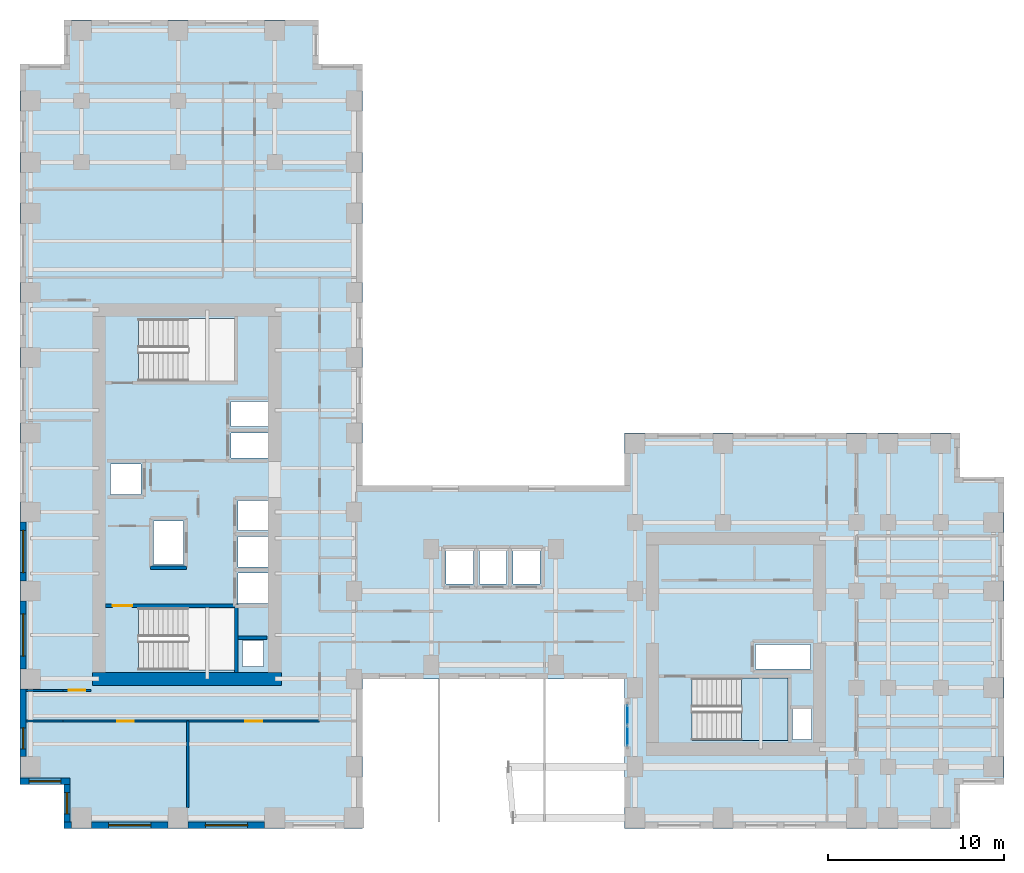
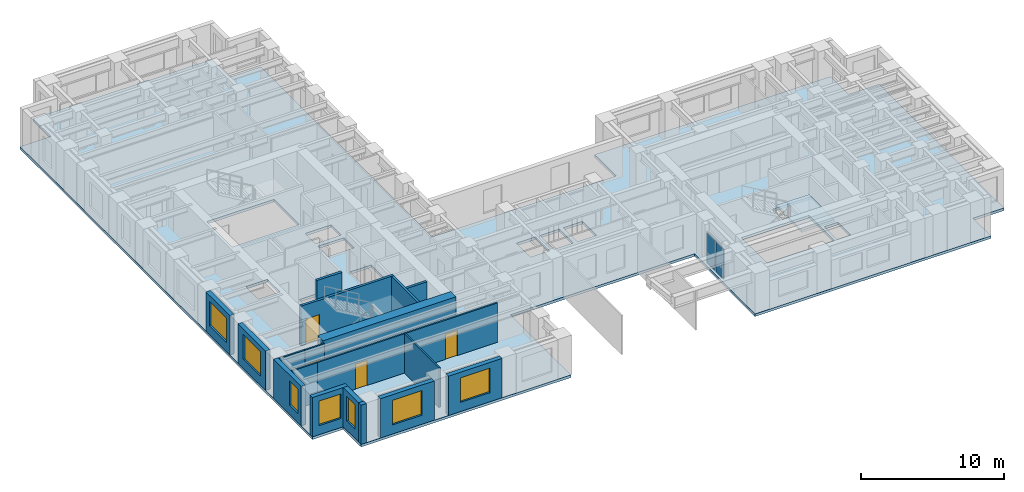
# One storey, part 6 of 14: 19 walls, 7 windows, 4 doors, 2 plates, 2 slabs, 11 openings, 2 elements without a shape of their own.
"""IFC4 building model written with IfcOpenShell, lengths in metres."""

from ifc_helpers import new_model, si_unit, direction, frame, frame_2d, origin, origin_2d, place, context, subcontext, project, spatial, polyline, rectangle, outline, extrude, source, transform, mapped, material, layer, layer_set, type_object, element, fill, aggregate, save


model = new_model("IFC4")

# Units and contexts
model_context = context("Model", 3, precision=1e-05, world=origin(), true_north=direction((0.0, 1.0)))
body_context = subcontext(model_context, "Body", "Model", "MODEL_VIEW")
ifc_project = project(units=[si_unit("LENGTHUNIT", "METRE"), si_unit("AREAUNIT", "SQUARE_METRE"), si_unit("VOLUMEUNIT", "CUBIC_METRE"), si_unit("PLANEANGLEUNIT", "RADIAN"), si_unit("MASSUNIT", "GRAM", prefix="KILO")], contexts=[model_context])

# Site, building, storey
site_placement = place(None, origin())
site = spatial("IfcSite", under=ifc_project, at=site_placement, CompositionType="ELEMENT")
building_placement = place(site_placement, origin())
building = spatial("IfcBuilding", under=site, at=building_placement, Name="Kharzan Plaza Tower", CompositionType="ELEMENT")
storey_placement = place(building_placement, frame((0.0, 0.0, 88.199951171875)))
storey = spatial("IfcBuildingStorey", under=building, at=storey_placement, Name="L23", CompositionType="ELEMENT", Elevation=88.199951171875)

# Slab
ifc_material_1 = material(Name="Concrete C40/50", Category="concrete")
ifc_layer_1 = layer(ifc_material_1, 0.219970703125)
ifc_layer_set_1 = layer_set([ifc_layer_1], Name="Concrete C40/50")
slab_type_1 = type_object("IfcSlabType", Name="SL-FLOOR-220", PredefinedType="FLOOR", material=ifc_layer_set_1)
slab_1_placement = place(storey_placement, frame((0.0, 0.0, -0.219970703125)))
element("IfcSlab", 1, at=slab_1_placement, inside=storey, type_object=slab_type_1, Name="L23 Composite Structural Floor Slab 220 mm", PredefinedType="FLOOR", context=body_context, shape_type="SweptSolid", body=[
    extrude(outline(polyline([(34.39990234375, 19.5), (19.5, 19.5), (19.5, 43.5), (17.0, 43.5), (17.0, 46.0), (2.5, 46.0), (2.5, 43.5), (0.0, 43.5), (0.0, 2.5), (2.5, 2.5), (2.5, 0.0), (19.5, 0.0), (19.5, 8.5), (34.39990234375, 8.5), (34.39990234375, 0.0), (53.5, 0.0), (53.5, 2.5), (56.0, 2.5), (56.0, 20.0), (53.5, 20.0), (53.5, 22.5), (34.39990234375, 22.5), (34.39990234375, 19.5)]), holes=[polyline([(12.199951171875, 9.0), (12.199951171875, 12.550048828125), (6.75, 12.550048828125), (6.75, 9.0), (12.199951171875, 9.0)]), polyline([(14.10009765625, 12.800048828125), (14.10009765625, 14.530029296875), (12.39990234375, 14.530029296875), (12.39990234375, 12.800048828125), (14.10009765625, 12.800048828125)]), polyline([(14.10009765625, 14.8701171875), (14.10009765625, 16.60009765625), (12.39990234375, 16.60009765625), (12.39990234375, 14.8701171875), (14.10009765625, 14.8701171875)]), polyline([(9.300048828125, 15.0), (9.300048828125, 17.5), (7.60009765625, 17.5), (7.60009765625, 15.0), (9.300048828125, 15.0)]), polyline([(6.89990234375, 19.010009765625), (6.89990234375, 20.72998046875), (5.14990234375, 20.72998046875), (5.14990234375, 19.010009765625), (6.89990234375, 19.010009765625)]), polyline([(14.10009765625, 21.070068359375), (14.10009765625, 22.489990234375), (12.0, 22.489990234375), (12.0, 21.070068359375), (14.10009765625, 21.070068359375)]), polyline([(14.10009765625, 22.8701171875), (14.10009765625, 24.2900390625), (12.0, 24.2900390625), (12.0, 22.8701171875), (14.10009765625, 22.8701171875)]), polyline([(12.199951171875, 25.449951171875), (12.199951171875, 29.0), (6.75, 29.0), (6.75, 25.449951171875), (12.199951171875, 25.449951171875)]), polyline([(45.050048828125, 5.050048828125), (45.050048828125, 6.800048828125), (43.949951171875, 6.800048828125), (43.949951171875, 5.050048828125), (45.050048828125, 5.050048828125)]), polyline([(43.699951171875, 5.0), (43.699951171875, 8.550048828125), (38.25, 8.550048828125), (38.25, 5.0), (43.699951171875, 5.0)]), polyline([(45.0, 9.070068359375), (45.0, 10.469970703125), (41.85009765625, 10.469970703125), (41.85009765625, 9.070068359375), (45.0, 9.070068359375)]), polyline([(13.85009765625, 9.199951171875), (13.85009765625, 10.699951171875), (12.64990234375, 10.699951171875), (12.64990234375, 9.199951171875), (13.85009765625, 9.199951171875)]), polyline([(25.800048828125, 13.89990234375), (25.800048828125, 15.85009765625), (24.25, 15.85009765625), (24.25, 13.89990234375), (25.800048828125, 13.89990234375)]), polyline([(27.699951171875, 13.89990234375), (27.699951171875, 15.85009765625), (26.14990234375, 15.85009765625), (26.14990234375, 13.89990234375), (27.699951171875, 13.89990234375)]), polyline([(29.60009765625, 13.89990234375), (29.60009765625, 15.85009765625), (28.050048828125, 15.85009765625), (28.050048828125, 13.89990234375), (29.60009765625, 13.89990234375)]), polyline([(14.10009765625, 16.93994140625), (14.10009765625, 18.64990234375), (12.39990234375, 18.64990234375), (12.39990234375, 16.93994140625), (14.10009765625, 16.93994140625)])]), origin(), (0.0, 0.0, 1.0), 0.219970703125),
])

# Stair, slab
stair_type = type_object("IfcStairType", Name="STR-ST-3", PredefinedType="HALF_TURN_STAIR", material=ifc_material_1)
stair_placement = place(storey_placement, origin())
stair = element("IfcStair", 2, at=stair_placement, inside=storey, type_object=stair_type, Name="L23 Protected Exit Stair ST-3", PredefinedType="HALF_TURN_STAIR")
ifc_layer_2 = layer(ifc_material_1, 0.219970703125)
ifc_layer_set_2 = layer_set([ifc_layer_2], Name="Concrete C40/50")
slab_type_2 = type_object("IfcSlabType", Name="SL-LANDING-220", PredefinedType="LANDING", material=ifc_layer_set_2)
slab_2_placement = place(storey_placement, frame((0.0, 0.0, 1.60009765625)))
slab_2 = element("IfcSlab", 3, at=slab_2_placement, type_object=slab_type_2, Name="ST-3 landing 1", PredefinedType="LANDING", context=body_context, shape_type="SweptSolid", body=[
    extrude(outline(polyline([(41.050048828125, 5.0), (43.699951171875, 5.0), (43.699951171875, 8.550048828125), (41.050048828125, 8.550048828125), (41.050048828125, 5.0)])), origin(), (0.0, 0.0, 1.0), 0.199951171875),
])
aggregate(stair, [slab_2])

# Curtain wall, plates
ifc_material_2 = material(Name="Unitised Bronze-Anodized Aluminium and Low-E Glass", Category="aluminium")
ifc_layer_3 = layer(ifc_material_2, 0.199951171875)
ifc_layer_set_3 = layer_set([ifc_layer_3], Name="Unitised Bronze-Anodized Aluminium and Low-E Glass")
curtain_wall_type = type_object("IfcCurtainWallType", Name="CW-SLOT-3", PredefinedType="NOTDEFINED", material=ifc_layer_set_3)
curtain_wall_placement = place(storey_placement, origin())
curtain_wall = element("IfcCurtainWall", 4, at=curtain_wall_placement, inside=storey, type_object=curtain_wall_type, Name="L23 East Slot Recessed Spine Curtain Wall", PredefinedType="NOTDEFINED")
ifc_material_3 = material(Name="Dark Solar-Control Double Glazing", Category="glass")
ifc_layer_4 = layer(ifc_material_3, 0.031982421875)
ifc_layer_set_4 = layer_set([ifc_layer_4], Name="Dark Solar-Control Double Glazing")
plate_type = type_object("IfcPlateType", Name="PLT-CW-GLASS", PredefinedType="CURTAIN_PANEL", material=ifc_layer_set_4)
shared_shape_1 = source(origin(), body_context, "Body", "SweptSolid", [
    extrude(rectangle(XDim=1.080078125, YDim=0.031982421875, at=origin_2d()), origin(), (0.0, 0.0, 1.0), 2.5400390625),
])
plate_1_placement = place(storey_placement, frame((34.580078125, 5.25, 0.080078125), z_axis=(0.0, 0.0, 1.0), x_axis=(0.0, 1.0, 0.0)))
plate_1 = element("IfcPlate", 5, at=plate_1_placement, type_object=plate_type, Name="L23 Curtain-Wall Glazed Panel 00", PredefinedType="CURTAIN_PANEL", context=body_context, shape_type="MappedRepresentation", body=[
    mapped(shared_shape_1, transform((0.0, 0.0, 0.0), x_axis=(1.0, 0.0, 0.0), y_axis=(0.0, 1.0, 0.0), z_axis=(0.0, 0.0, 1.0))),
])
plate_2_placement = place(storey_placement, frame((34.580078125, 6.449951171875, 0.080078125), z_axis=(0.0, 0.0, 1.0), x_axis=(0.0, 1.0, 0.0)))
plate_2 = element("IfcPlate", 6, at=plate_2_placement, type_object=plate_type, Name="L23 Curtain-Wall Glazed Panel 01", PredefinedType="CURTAIN_PANEL", context=body_context, shape_type="MappedRepresentation", body=[
    mapped(shared_shape_1, transform((0.0, 0.0, 0.0), x_axis=(1.0, 0.0, 0.0), y_axis=(0.0, 1.0, 0.0), z_axis=(0.0, 0.0, 1.0))),
])
aggregate(curtain_wall, [plate_1, plate_2])

# Wall, opening, window
ifc_layer_5 = layer(ifc_material_1, 0.35009765625)
ifc_layer_set_5 = layer_set([ifc_layer_5], Name="Concrete C40/50")
wall_type_1 = type_object("IfcWallType", Name="WL-EXT-MAS-Z2", PredefinedType="SOLIDWALL", material=ifc_layer_set_5)
wall_1_placement = place(storey_placement, frame((0.175048828125, 17.427001953125, 0.0), z_axis=(0.0, 0.0, 1.0), x_axis=(0.0, -1.0, 0.0)))
wall_1 = element("IfcWall", 7, at=wall_1_placement, inside=storey, type_object=wall_type_1, Name="L23 Masonry-Frame Exterior Wall 23", PredefinedType="SOLIDWALL", context=body_context, shape_type="SweptSolid", body=[
    extrude(rectangle(XDim=3.35400390625, YDim=0.35009765625, at=frame_2d((1.677001953125, 0.0))), origin(), (0.0, 0.0, 1.0), 3.364990234375),
])
opening_1_placement = place(wall_1_placement, frame((0.47705078125, 0.0, 0.780029296875)))
opening_1 = element("IfcOpeningElement", 8, at=opening_1_placement, cuts=wall_1, Name="Opening W2", PredefinedType="OPENING", context=body_context, shape_type="SweptSolid", body=[
    extrude(rectangle(XDim=2.39990234375, YDim=2.10009765625, at=frame_2d((1.199951171875, 1.050048828125))), frame((0.0, 0.18505859375, 0.0), z_axis=(0.0, -1.0, 0.0), x_axis=(1.0, 0.0, 0.0)), (0.0, 0.0, 1.0), 0.3701171875),
])
ifc_material_4 = material(Name="Low-E Double Glazing", Category="glass")
window_type_1 = type_object("IfcWindowType", Name="WN-REC-2400x2100", PartitioningType="SINGLE_PANEL", PredefinedType="WINDOW", material=ifc_material_4)
shared_shape_2 = source(origin(), body_context, "Body", "SweptSolid", [
    extrude(rectangle(XDim=2.39990234375, YDim=2.10009765625, at=frame_2d((1.199951171875, 1.050048828125))), frame((0.0, 0.030029296875, 0.0), z_axis=(0.0, -1.0, 0.0), x_axis=(1.0, 0.0, 0.0)), (0.0, 0.0, 1.0), 0.06005859375),
])
window_1_placement = place(opening_1_placement, origin())
window_1 = element("IfcWindow", 9, at=window_1_placement, inside=storey, type_object=window_type_1, Name="L23 Wide Recessed Solar-Control Window 23-1", OverallHeight=2.10009765625, OverallWidth=2.39990234375, PartitioningType="SINGLE_PANEL", PredefinedType="WINDOW", context=body_context, shape_type="MappedRepresentation", body=[
    mapped(shared_shape_2, transform((0.0, 0.0, 0.0), x_axis=(1.0, 0.0, 0.0), y_axis=(0.0, 1.0, 0.0), z_axis=(0.0, 0.0, 1.0))),
])
fill(opening_1, window_1)

wall_2_placement = place(storey_placement, frame((0.175048828125, 12.927001953125, 0.0), z_axis=(0.0, 0.0, 1.0), x_axis=(0.0, -1.0, 0.0)))
wall_2 = element("IfcWall", 10, at=wall_2_placement, inside=storey, type_object=wall_type_1, Name="L23 Masonry-Frame Exterior Wall 24", PredefinedType="SOLIDWALL", context=body_context, shape_type="SweptSolid", body=[
    extrude(rectangle(XDim=3.85400390625, YDim=0.35009765625, at=frame_2d((1.927001953125, 0.0))), origin(), (0.0, 0.0, 1.0), 3.364990234375),
])
opening_2_placement = place(wall_2_placement, frame((0.72705078125, 0.0, 0.780029296875)))
opening_2 = element("IfcOpeningElement", 11, at=opening_2_placement, cuts=wall_2, Name="Opening W2", PredefinedType="OPENING", context=body_context, shape_type="SweptSolid", body=[
    extrude(rectangle(XDim=2.39990234375, YDim=2.10009765625, at=frame_2d((1.199951171875, 1.050048828125))), frame((0.0, 0.18505859375, 0.0), z_axis=(0.0, -1.0, 0.0), x_axis=(1.0, 0.0, 0.0)), (0.0, 0.0, 1.0), 0.3701171875),
])
window_2_placement = place(opening_2_placement, origin())
window_2 = element("IfcWindow", 12, at=window_2_placement, inside=storey, type_object=window_type_1, Name="L23 Wide Recessed Solar-Control Window 24-1", OverallHeight=2.10009765625, OverallWidth=2.39990234375, PartitioningType="SINGLE_PANEL", PredefinedType="WINDOW", context=body_context, shape_type="MappedRepresentation", body=[
    mapped(shared_shape_2, transform((0.0, 0.0, 0.0), x_axis=(1.0, 0.0, 0.0), y_axis=(0.0, 1.0, 0.0), z_axis=(0.0, 0.0, 1.0))),
])
fill(opening_2, window_2)

wall_3_placement = place(storey_placement, frame((0.175048828125, 7.927001953125, 0.0), z_axis=(0.0, 0.0, 1.0), x_axis=(0.0, -1.0, 0.0)))
wall_3 = element("IfcWall", 13, at=wall_3_placement, inside=storey, type_object=wall_type_1, Name="L23 Masonry-Frame Exterior Wall 25", PredefinedType="SOLIDWALL", context=body_context, shape_type="SweptSolid", body=[
    extrude(rectangle(XDim=3.85400390625, YDim=0.35009765625, at=frame_2d((1.927001953125, 0.0))), origin(), (0.0, 0.0, 1.0), 3.364990234375),
])
opening_3_placement = place(wall_3_placement, frame((2.20556640625, 0.0, 0.780029296875)))
opening_3 = element("IfcOpeningElement", 14, at=opening_3_placement, cuts=wall_3, Name="Opening W3", PredefinedType="OPENING", context=body_context, shape_type="SweptSolid", body=[
    extrude(rectangle(XDim=1.199951171875, YDim=2.10009765625, at=frame_2d((0.60009765625, 1.050048828125))), frame((0.0, 0.18505859375, 0.0), z_axis=(0.0, -1.0, 0.0), x_axis=(1.0, 0.0, 0.0)), (0.0, 0.0, 1.0), 0.3701171875),
])
window_type_2 = type_object("IfcWindowType", Name="WN-REC-1200x2100", PartitioningType="SINGLE_PANEL", PredefinedType="WINDOW", material=ifc_material_4)
shared_shape_3 = source(origin(), body_context, "Body", "SweptSolid", [
    extrude(rectangle(XDim=1.199951171875, YDim=2.10009765625, at=frame_2d((0.60009765625, 1.050048828125))), frame((0.0, 0.030029296875, 0.0), z_axis=(0.0, -1.0, 0.0), x_axis=(1.0, 0.0, 0.0)), (0.0, 0.0, 1.0), 0.06005859375),
])
window_3_placement = place(opening_3_placement, origin())
window_3 = element("IfcWindow", 15, at=window_3_placement, inside=storey, type_object=window_type_2, Name="L23 Recessed Solar-Control Window 25-1", OverallHeight=2.10009765625, OverallWidth=1.199951171875, PartitioningType="SINGLE_PANEL", PredefinedType="WINDOW", context=body_context, shape_type="MappedRepresentation", body=[
    mapped(shared_shape_3, transform((0.0, 0.0, 0.0), x_axis=(1.0, 0.0, 0.0), y_axis=(0.0, 1.0, 0.0), z_axis=(0.0, 0.0, 1.0))),
])
fill(opening_3, window_3)

wall_4_placement = place(storey_placement, frame((0.0, 2.675048828125, 0.0), z_axis=(0.0, 0.0, 1.0), x_axis=(1.0, 0.0, 0.0)))
wall_4 = element("IfcWall", 16, at=wall_4_placement, inside=storey, type_object=wall_type_1, Name="L23 Masonry-Frame Exterior Wall 26", PredefinedType="SOLIDWALL", context=body_context, shape_type="SweptSolid", body=[
    extrude(rectangle(XDim=2.85009765625, YDim=0.35009765625, at=frame_2d((1.425048828125, 0.0))), origin(), (0.0, 0.0, 1.0), 3.364990234375),
])
opening_4_placement = place(wall_4_placement, frame((0.52490234375, 0.0, 0.780029296875)))
opening_4 = element("IfcOpeningElement", 17, at=opening_4_placement, cuts=wall_4, Name="Opening W1", PredefinedType="OPENING", context=body_context, shape_type="SweptSolid", body=[
    extrude(rectangle(XDim=1.800048828125, YDim=2.10009765625, at=frame_2d((0.89990234375, 1.050048828125))), frame((0.0, 0.18505859375, 0.0), z_axis=(0.0, -1.0, 0.0), x_axis=(1.0, 0.0, 0.0)), (0.0, 0.0, 1.0), 0.3701171875),
])
window_type_3 = type_object("IfcWindowType", Name="WN-REC-1800x2100", PartitioningType="SINGLE_PANEL", PredefinedType="WINDOW", material=ifc_material_4)
shared_shape_4 = source(origin(), body_context, "Body", "SweptSolid", [
    extrude(rectangle(XDim=1.800048828125, YDim=2.10009765625, at=frame_2d((0.89990234375, 1.050048828125))), frame((0.0, 0.030029296875, 0.0), z_axis=(0.0, -1.0, 0.0), x_axis=(1.0, 0.0, 0.0)), (0.0, 0.0, 1.0), 0.06005859375),
])
window_4_placement = place(opening_4_placement, origin())
window_4 = element("IfcWindow", 18, at=window_4_placement, inside=storey, type_object=window_type_3, Name="L23 Recessed Solar-Control Window 26-1", OverallHeight=2.10009765625, OverallWidth=1.800048828125, PartitioningType="SINGLE_PANEL", PredefinedType="WINDOW", context=body_context, shape_type="MappedRepresentation", body=[
    mapped(shared_shape_4, transform((0.0, 0.0, 0.0), x_axis=(1.0, 0.0, 0.0), y_axis=(0.0, 1.0, 0.0), z_axis=(0.0, 0.0, 1.0))),
])
fill(opening_4, window_4)

wall_5_placement = place(storey_placement, frame((2.675048828125, 2.501953125, 0.0), z_axis=(0.0, 0.0, 1.0), x_axis=(0.0, -1.0, 0.0)))
wall_5 = element("IfcWall", 19, at=wall_5_placement, inside=storey, type_object=wall_type_1, Name="L23 Masonry-Frame Exterior Wall 27", PredefinedType="SOLIDWALL", context=body_context, shape_type="SweptSolid", body=[
    extrude(rectangle(XDim=2.154052734375, YDim=0.35009765625, at=frame_2d((1.0771484375, 0.0))), origin(), (0.0, 0.0, 1.0), 3.364990234375),
])
opening_5_placement = place(wall_5_placement, frame((0.47705078125, 0.0, 0.780029296875)))
opening_5 = element("IfcOpeningElement", 20, at=opening_5_placement, cuts=wall_5, Name="Opening W3", PredefinedType="OPENING", context=body_context, shape_type="SweptSolid", body=[
    extrude(rectangle(XDim=1.199951171875, YDim=2.10009765625, at=frame_2d((0.60009765625, 1.050048828125))), frame((0.0, 0.18505859375, 0.0), z_axis=(0.0, -1.0, 0.0), x_axis=(1.0, 0.0, 0.0)), (0.0, 0.0, 1.0), 0.3701171875),
])
window_5_placement = place(opening_5_placement, origin())
window_5 = element("IfcWindow", 21, at=window_5_placement, inside=storey, type_object=window_type_2, Name="L23 Recessed Solar-Control Window 27-1", OverallHeight=2.10009765625, OverallWidth=1.199951171875, PartitioningType="SINGLE_PANEL", PredefinedType="WINDOW", context=body_context, shape_type="MappedRepresentation", body=[
    mapped(shared_shape_3, transform((0.0, 0.0, 0.0), x_axis=(1.0, 0.0, 0.0), y_axis=(0.0, 1.0, 0.0), z_axis=(0.0, 0.0, 1.0))),
])
fill(opening_5, window_5)

wall_6_placement = place(storey_placement, frame((4.072998046875, 0.175048828125, 0.0), z_axis=(0.0, 0.0, 1.0), x_axis=(1.0, 0.0, 0.0)))
wall_6 = element("IfcWall", 22, at=wall_6_placement, inside=storey, type_object=wall_type_1, Name="L23 Masonry-Frame Exterior Wall 29", PredefinedType="SOLIDWALL", context=body_context, shape_type="SweptSolid", body=[
    extrude(rectangle(XDim=4.35400390625, YDim=0.35009765625, at=frame_2d((2.177001953125, 0.0))), origin(), (0.0, 0.0, 1.0), 3.364990234375),
])
opening_6_placement = place(wall_6_placement, frame((0.97705078125, 0.0, 0.780029296875)))
opening_6 = element("IfcOpeningElement", 23, at=opening_6_placement, cuts=wall_6, Name="Opening W2", PredefinedType="OPENING", context=body_context, shape_type="SweptSolid", body=[
    extrude(rectangle(XDim=2.39990234375, YDim=2.10009765625, at=frame_2d((1.199951171875, 1.050048828125))), frame((0.0, 0.18505859375, 0.0), z_axis=(0.0, -1.0, 0.0), x_axis=(1.0, 0.0, 0.0)), (0.0, 0.0, 1.0), 0.3701171875),
])
window_6_placement = place(opening_6_placement, origin())
window_6 = element("IfcWindow", 24, at=window_6_placement, inside=storey, type_object=window_type_1, Name="L23 Wide Recessed Solar-Control Window 29-1", OverallHeight=2.10009765625, OverallWidth=2.39990234375, PartitioningType="SINGLE_PANEL", PredefinedType="WINDOW", context=body_context, shape_type="MappedRepresentation", body=[
    mapped(shared_shape_2, transform((0.0, 0.0, 0.0), x_axis=(1.0, 0.0, 0.0), y_axis=(0.0, 1.0, 0.0), z_axis=(0.0, 0.0, 1.0))),
])
fill(opening_6, window_6)

wall_7_placement = place(storey_placement, frame((9.572998046875, 0.175048828125, 0.0), z_axis=(0.0, 0.0, 1.0), x_axis=(1.0, 0.0, 0.0)))
wall_7 = element("IfcWall", 25, at=wall_7_placement, inside=storey, type_object=wall_type_1, Name="L23 Masonry-Frame Exterior Wall 30", PredefinedType="SOLIDWALL", context=body_context, shape_type="SweptSolid", body=[
    extrude(rectangle(XDim=4.35400390625, YDim=0.35009765625, at=frame_2d((2.177001953125, 0.0))), origin(), (0.0, 0.0, 1.0), 3.364990234375),
])
opening_7_placement = place(wall_7_placement, frame((0.97705078125, 0.0, 0.780029296875)))
opening_7 = element("IfcOpeningElement", 26, at=opening_7_placement, cuts=wall_7, Name="Opening W2", PredefinedType="OPENING", context=body_context, shape_type="SweptSolid", body=[
    extrude(rectangle(XDim=2.39990234375, YDim=2.10009765625, at=frame_2d((1.199951171875, 1.050048828125))), frame((0.0, 0.18505859375, 0.0), z_axis=(0.0, -1.0, 0.0), x_axis=(1.0, 0.0, 0.0)), (0.0, 0.0, 1.0), 0.3701171875),
])
window_7_placement = place(opening_7_placement, origin())
window_7 = element("IfcWindow", 27, at=window_7_placement, inside=storey, type_object=window_type_1, Name="L23 Wide Recessed Solar-Control Window 30-1", OverallHeight=2.10009765625, OverallWidth=2.39990234375, PartitioningType="SINGLE_PANEL", PredefinedType="WINDOW", context=body_context, shape_type="MappedRepresentation", body=[
    mapped(shared_shape_2, transform((0.0, 0.0, 0.0), x_axis=(1.0, 0.0, 0.0), y_axis=(0.0, 1.0, 0.0), z_axis=(0.0, 0.0, 1.0))),
])
fill(opening_7, window_7)

# Wall, opening, door
ifc_material_5 = material(Name="Fire-Rated Gypsum Board Partition", Category="gypsum")
ifc_layer_6 = layer(ifc_material_5, 0.125)
ifc_layer_set_6 = layer_set([ifc_layer_6], Name="Fire-Rated Gypsum Board Partition")
wall_type_2 = type_object("IfcWallType", Name="WL-INT-PART-125", PredefinedType="PARTITIONING", material=ifc_layer_set_6)
wall_8_placement = place(storey_placement, frame((2.449951171875, 7.85009765625, 0.0), z_axis=(0.0, 0.0, 1.0), x_axis=(1.0, 0.0, 0.0)))
wall_8 = element("IfcWall", 28, at=wall_8_placement, inside=storey, type_object=wall_type_2, Name="L23 Interior Partition SH-RWSD", PredefinedType="PARTITIONING", context=body_context, shape_type="SweptSolid", body=[
    extrude(rectangle(XDim=1.60009765625, YDim=0.125, at=frame_2d((0.800048828125, 0.0))), origin(), (0.0, 0.0, 1.0), 3.364990234375),
])
opening_8_placement = place(wall_8_placement, frame((0.324951171875, 0.0, 0.0)))
opening_8 = element("IfcOpeningElement", 29, at=opening_8_placement, cuts=wall_8, Name="Opening OD1", PredefinedType="OPENING", context=body_context, shape_type="SweptSolid", body=[
    extrude(rectangle(XDim=0.949951171875, YDim=2.14990234375, at=frame_2d((0.47509765625, 1.074951171875))), frame((0.0, 0.072509765625, 0.0), z_axis=(0.0, -1.0, 0.0), x_axis=(1.0, 0.0, 0.0)), (0.0, 0.0, 1.0), 0.14501953125),
])
ifc_material_6 = material(Name="Acoustic Solid-Core Stained Oak", Category="timber")
door_type_1 = type_object("IfcDoorType", Name="DR-OFF-SINGLE", OperationType="NOTDEFINED", PredefinedType="DOOR", material=ifc_material_6)
shared_shape_5 = source(origin(), body_context, "Body", "SweptSolid", [
    extrude(rectangle(XDim=0.949951171875, YDim=2.14990234375, at=frame_2d((0.47509765625, 1.074951171875))), frame((0.0, 0.02490234375, 0.0), z_axis=(0.0, -1.0, 0.0), x_axis=(1.0, 0.0, 0.0)), (0.0, 0.0, 1.0), 0.050048828125),
])
door_1_placement = place(opening_8_placement, origin())
door_1 = element("IfcDoor", 30, at=door_1_placement, inside=storey, type_object=door_type_1, Name="L23 West Office 1 Door", OperationType="SINGLE_SWING_RIGHT", OverallHeight=2.14990234375, OverallWidth=0.949951171875, PredefinedType="DOOR", context=body_context, shape_type="MappedRepresentation", body=[
    mapped(shared_shape_5, transform((0.0, 0.0, 0.0), x_axis=(1.0, 0.0, 0.0), y_axis=(0.0, 1.0, 0.0), z_axis=(0.0, 0.0, 1.0))),
])
fill(opening_8, door_1)

wall_9_placement = place(storey_placement, frame((2.449951171875, 6.10009765625, 0.0), z_axis=(0.0, 0.0, 1.0), x_axis=(1.0, 0.0, 0.0)))
wall_9 = element("IfcWall", 31, at=wall_9_placement, inside=storey, type_object=wall_type_2, Name="L23 Interior Partition SH-SS-1", PredefinedType="PARTITIONING", context=body_context, shape_type="SweptSolid", body=[
    extrude(rectangle(XDim=7.10107421875, YDim=0.125, at=frame_2d((3.550537109375, 0.0))), origin(), (0.0, 0.0, 1.0), 3.364990234375),
])
opening_9_placement = place(wall_9_placement, frame((3.075439453125, 0.0, 0.0)))
opening_9 = element("IfcOpeningElement", 32, at=opening_9_placement, cuts=wall_9, Name="Opening OD1", PredefinedType="OPENING", context=body_context, shape_type="SweptSolid", body=[
    extrude(rectangle(XDim=0.949951171875, YDim=2.14990234375, at=frame_2d((0.47509765625, 1.074951171875))), frame((0.0, 0.072509765625, 0.0), z_axis=(0.0, -1.0, 0.0), x_axis=(1.0, 0.0, 0.0)), (0.0, 0.0, 1.0), 0.14501953125),
])
door_2_placement = place(opening_9_placement, origin())
door_2 = element("IfcDoor", 33, at=door_2_placement, inside=storey, type_object=door_type_1, Name="L23 Corporate Secretariat Office Door", OperationType="SINGLE_SWING_RIGHT", OverallHeight=2.14990234375, OverallWidth=0.949951171875, PredefinedType="DOOR", context=body_context, shape_type="MappedRepresentation", body=[
    mapped(shared_shape_5, transform((0.0, 0.0, 0.0), x_axis=(1.0, 0.0, 0.0), y_axis=(0.0, 1.0, 0.0), z_axis=(0.0, 0.0, 1.0))),
])
fill(opening_9, door_2)

wall_10_placement = place(storey_placement, frame((9.551025390625, 6.10009765625, 0.0), z_axis=(0.0, 0.0, 1.0), x_axis=(1.0, 0.0, 0.0)))
wall_10 = element("IfcWall", 34, at=wall_10_placement, inside=storey, type_object=wall_type_2, Name="L23 Interior Partition SH-SS-2", PredefinedType="PARTITIONING", context=body_context, shape_type="SweptSolid", body=[
    extrude(rectangle(XDim=7.4990234375, YDim=0.125, at=frame_2d((3.74951171875, 0.0))), origin(), (0.0, 0.0, 1.0), 3.364990234375),
])
opening_10_placement = place(wall_10_placement, frame((3.2744140625, 0.0, 0.0)))
opening_10 = element("IfcOpeningElement", 35, at=opening_10_placement, cuts=wall_10, Name="Opening OD1", PredefinedType="OPENING", context=body_context, shape_type="SweptSolid", body=[
    extrude(rectangle(XDim=0.949951171875, YDim=2.14990234375, at=frame_2d((0.47509765625, 1.074951171875))), frame((0.0, 0.072509765625, 0.0), z_axis=(0.0, -1.0, 0.0), x_axis=(1.0, 0.0, 0.0)), (0.0, 0.0, 1.0), 0.14501953125),
])
door_3_placement = place(opening_10_placement, origin())
door_3 = element("IfcDoor", 36, at=door_3_placement, inside=storey, type_object=door_type_1, Name="L23 Executive Tea Pantry Door", OperationType="SINGLE_SWING_LEFT", OverallHeight=2.14990234375, OverallWidth=0.949951171875, PredefinedType="DOOR", context=body_context, shape_type="MappedRepresentation", body=[
    mapped(shared_shape_5, transform((0.0, 0.0, 0.0), x_axis=(1.0, 0.0, 0.0), y_axis=(0.0, 1.0, 0.0), z_axis=(0.0, 0.0, 1.0))),
])
fill(opening_10, door_3)

ifc_material_7 = material(Name="Concrete C50/60", Category="concrete")
ifc_layer_7 = layer(ifc_material_7, 0.199951171875)
ifc_layer_set_7 = layer_set([ifc_layer_7], Name="Concrete C50/60")
wall_type_3 = type_object("IfcWallType", Name="WL-SHAFT-RC200", PredefinedType="SHEAR", material=ifc_layer_set_7)
wall_11_placement = place(storey_placement, frame((4.876953125, 12.655029296875, 0.0), z_axis=(0.0, 0.0, 1.0), x_axis=(1.0, 0.0, 0.0)))
wall_11 = element("IfcWall", 37, at=wall_11_placement, inside=storey, type_object=wall_type_3, Name="L23 Stair ST-1 North RC Shaft Wall", PredefinedType="SHEAR", context=body_context, shape_type="SweptSolid", body=[
    extrude(rectangle(XDim=7.528076171875, YDim=0.199951171875, at=frame_2d((3.76416015625, 0.0))), origin(), (0.0, 0.0, 1.0), 3.380126953125),
])
opening_11_placement = place(wall_11_placement, frame((0.39990234375, 0.0, 0.0)))
opening_11 = element("IfcOpeningElement", 38, at=opening_11_placement, cuts=wall_11, Name="Opening SD1", PredefinedType="OPENING", context=body_context, shape_type="SweptSolid", body=[
    extrude(rectangle(XDim=1.10009765625, YDim=2.14990234375, at=frame_2d((0.550048828125, 1.074951171875))), frame((0.0, 0.10986328125, 0.0), z_axis=(0.0, -1.0, 0.0), x_axis=(1.0, 0.0, 0.0)), (0.0, 0.0, 1.0), 0.219970703125),
])
ifc_material_8 = material(Name="Fire-Rated Hollow Galvanized Steel", Category="steel")
door_type_2 = type_object("IfcDoorType", Name="DR-STAIR-FD120", OperationType="NOTDEFINED", PredefinedType="DOOR", material=ifc_material_8)
shared_shape_6 = source(origin(), body_context, "Body", "SweptSolid", [
    extrude(rectangle(XDim=1.10009765625, YDim=2.14990234375, at=frame_2d((0.550048828125, 1.074951171875))), frame((0.0, 0.02490234375, 0.0), z_axis=(0.0, -1.0, 0.0), x_axis=(1.0, 0.0, 0.0)), (0.0, 0.0, 1.0), 0.050048828125),
])
door_4_placement = place(opening_11_placement, origin())
door_4 = element("IfcDoor", 39, at=door_4_placement, inside=storey, type_object=door_type_2, Name="L23 Stair ST-1 Fire Exit Door", OperationType="SINGLE_SWING_LEFT", OverallHeight=2.14990234375, OverallWidth=1.10009765625, PredefinedType="DOOR", context=body_context, shape_type="MappedRepresentation", body=[
    mapped(shared_shape_6, transform((0.0, 0.0, 0.0), x_axis=(1.0, 0.0, 0.0), y_axis=(0.0, 1.0, 0.0), z_axis=(0.0, 0.0, 1.0))),
])
fill(opening_11, door_4)

# Walls
ifc_layer_8 = layer(ifc_material_1, 0.199951171875)
ifc_layer_set_8 = layer_set([ifc_layer_8], Name="Concrete C40/50")
wall_type_4 = type_object("IfcWallType", Name="WL-INT-SHAFT-200", PredefinedType="PARTITIONING", material=ifc_layer_set_8)
shared_shape_7 = source(origin(), body_context, "Body", "SweptSolid", [
    extrude(rectangle(XDim=2.0400390625, YDim=0.199951171875, at=frame_2d((1.02001953125, 0.0))), origin(), (0.0, 0.0, 1.0), 3.364990234375),
])
wall_12_placement = place(storey_placement, frame((7.429931640625, 14.830078125, 0.0), z_axis=(0.0, 0.0, 1.0), x_axis=(1.0, 0.0, 0.0)))
element("IfcWall", 40, at=wall_12_placement, inside=storey, type_object=wall_type_4, Name="L23 Interior Partition SHF-SVL-1-S", PredefinedType="PARTITIONING", context=body_context, shape_type="MappedRepresentation", body=[
    mapped(shared_shape_7, transform((0.0, 0.0, 0.0), x_axis=(1.0, 0.0, 0.0), y_axis=(0.0, 1.0, 0.0), z_axis=(0.0, 0.0, 1.0))),
])
shared_shape_8 = source(origin(), body_context, "Body", "SweptSolid", [
    extrude(rectangle(XDim=2.097900390625, YDim=0.125, at=frame_2d((1.048828125, 0.0))), origin(), (0.0, 0.0, 1.0), 3.364990234375),
])
for number, where, z_axis, x_axis, name in (
    (41, (0.35205078125, 7.85009765625, 0.0), (0.0, 0.0, 1.0), (1.0, 0.0, 0.0), "L23 Interior Partition SH-RWS0"),
    (42, (0.35205078125, 6.10009765625, 0.0), (0.0, 0.0, 1.0), (1.0, 0.0, 0.0), "L23 Interior Partition SH-SS-EXT"),
):
    element("IfcWall", number, at=place(storey_placement, frame(where, z_axis=z_axis, x_axis=x_axis)), inside=storey, type_object=wall_type_2, Name=name, PredefinedType="PARTITIONING", context=body_context, shape_type="MappedRepresentation", body=[
        mapped(shared_shape_8, transform((0.0, 0.0, 0.0), x_axis=(1.0, 0.0, 0.0), y_axis=(0.0, 1.0, 0.0), z_axis=(0.0, 0.0, 1.0))),
    ])
ifc_material_9 = material(Name="Concrete C60/75", Category="concrete")
ifc_layer_9 = layer(ifc_material_9, 0.75)
ifc_layer_set_9 = layer_set([ifc_layer_9], Name="Concrete C60/75")
wall_type_5 = type_object("IfcWallType", Name="WL-CORE-750", PredefinedType="SHEAR", material=ifc_layer_set_9)
shared_shape_9 = source(origin(), body_context, "Body", "SweptSolid", [
    extrude(rectangle(XDim=10.75, YDim=0.75, at=frame_2d((5.375, 0.0))), origin(), (0.0, 0.0, 1.0), 3.380126953125),
])
wall_13_placement = place(storey_placement, frame((4.125, 8.5, 0.0), z_axis=(0.0, 0.0, 1.0), x_axis=(1.0, 0.0, 0.0)))
element("IfcWall", 43, at=wall_13_placement, inside=storey, type_object=wall_type_5, Name="L23 CORE-A south RC shear wall", PredefinedType="SHEAR", context=body_context, shape_type="MappedRepresentation", body=[
    mapped(shared_shape_9, transform((0.0, 0.0, 0.0), x_axis=(1.0, 0.0, 0.0), y_axis=(0.0, 1.0, 0.0), z_axis=(0.0, 0.0, 1.0))),
])
shared_shape_10 = source(origin(), body_context, "Body", "SweptSolid", [
    extrude(rectangle(XDim=0.427001953125, YDim=0.35009765625, at=frame_2d((0.21337890625, 0.0))), origin(), (0.0, 0.0, 1.0), 3.364990234375),
])
wall_14_placement = place(storey_placement, frame((2.5, 0.175048828125, 0.0), z_axis=(0.0, 0.0, 1.0), x_axis=(1.0, 0.0, 0.0)))
element("IfcWall", 44, at=wall_14_placement, inside=storey, type_object=wall_type_1, Name="L23 Masonry-Frame Exterior Wall 28", PredefinedType="SOLIDWALL", context=body_context, shape_type="MappedRepresentation", body=[
    mapped(shared_shape_10, transform((0.0, 0.0, 0.0), x_axis=(1.0, 0.0, 0.0), y_axis=(0.0, 1.0, 0.0), z_axis=(0.0, 0.0, 1.0))),
])
shared_shape_11 = source(origin(), body_context, "Body", "SweptSolid", [
    extrude(rectangle(XDim=1.630126953125, YDim=0.199951171875, at=frame_2d((0.81494140625, 0.0))), origin(), (0.0, 0.0, 1.0), 3.364990234375),
])
wall_15_placement = place(storey_placement, frame((12.419921875, 10.85009765625, 0.0), z_axis=(0.0, 0.0, 1.0), x_axis=(1.0, 0.0, 0.0)))
element("IfcWall", 45, at=wall_15_placement, inside=storey, type_object=wall_type_4, Name="L23 Interior Partition CA-RSRA-N", PredefinedType="PARTITIONING", context=body_context, shape_type="MappedRepresentation", body=[
    mapped(shared_shape_11, transform((0.0, 0.0, 0.0), x_axis=(1.0, 0.0, 0.0), y_axis=(0.0, 1.0, 0.0), z_axis=(0.0, 0.0, 1.0))),
])
shared_shape_12 = source(origin(), body_context, "Body", "SweptSolid", [
    extrude(rectangle(XDim=3.677978515625, YDim=0.199951171875, at=frame_2d((1.8388671875, 0.0))), origin(), (0.0, 0.0, 1.0), 3.380126953125),
])
wall_16_placement = place(storey_placement, frame((12.304931640625, 8.876953125, 0.0), z_axis=(0.0, 0.0, 1.0), x_axis=(0.0, 1.0, 0.0)))
element("IfcWall", 46, at=wall_16_placement, inside=storey, type_object=wall_type_3, Name="L23 Stair ST-1 East RC Shaft Wall", PredefinedType="SHEAR", context=body_context, shape_type="MappedRepresentation", body=[
    mapped(shared_shape_12, transform((0.0, 0.0, 0.0), x_axis=(1.0, 0.0, 0.0), y_axis=(0.0, 1.0, 0.0), z_axis=(0.0, 0.0, 1.0))),
])
shared_shape_13 = source(origin(), body_context, "Body", "SweptSolid", [
    extrude(rectangle(XDim=4.91015625, YDim=0.125, at=frame_2d((2.455078125, 0.0))), origin(), (0.0, 0.0, 1.0), 3.364990234375),
])
wall_17_placement = place(storey_placement, frame((9.551025390625, 1.18994140625, 0.0), z_axis=(0.0, 0.0, 1.0), x_axis=(0.0, 1.0, 0.0)))
element("IfcWall", 47, at=wall_17_placement, inside=storey, type_object=wall_type_2, Name="L23 Interior Partition SH-SV-1", PredefinedType="PARTITIONING", context=body_context, shape_type="MappedRepresentation", body=[
    mapped(shared_shape_13, transform((0.0, 0.0, 0.0), x_axis=(1.0, 0.0, 0.0), y_axis=(0.0, 1.0, 0.0), z_axis=(0.0, 0.0, 1.0))),
])

save(model, "model.ifc")
